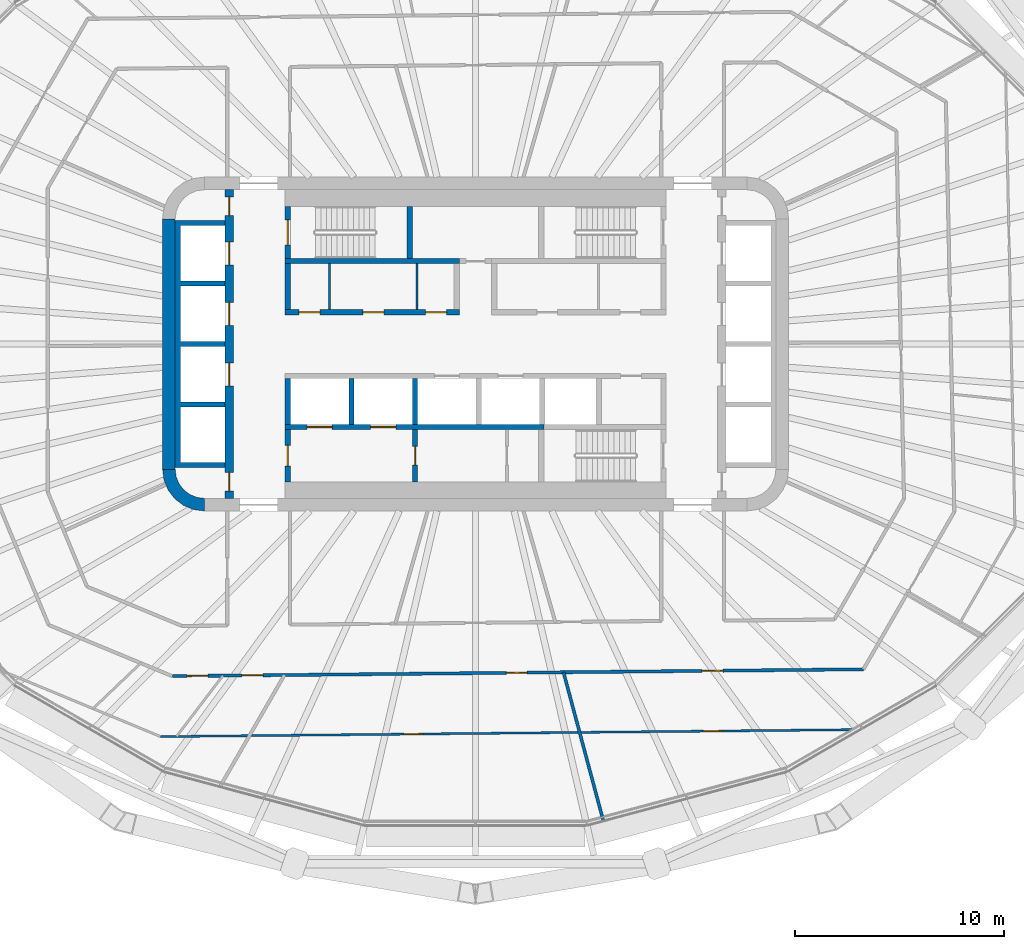
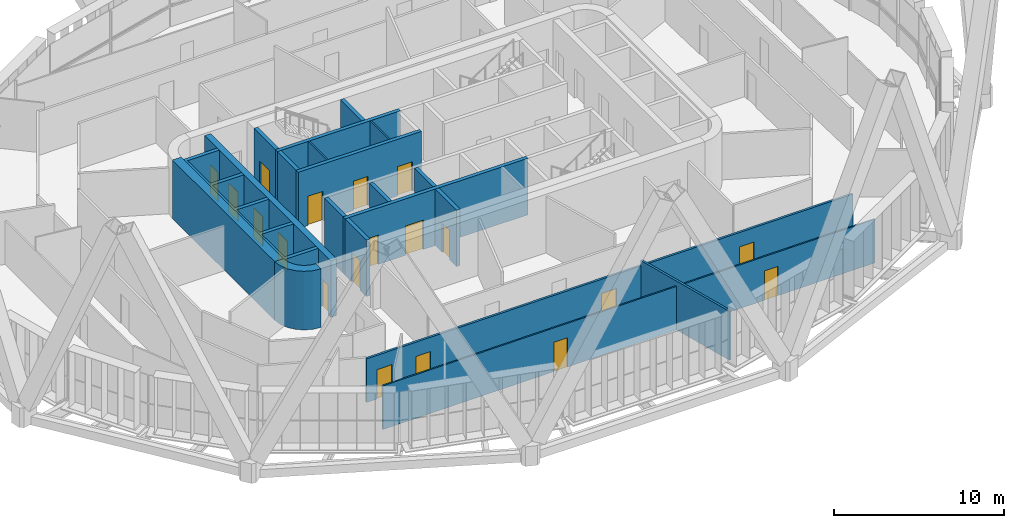
# One storey, part 14 of 25: 20 walls, 19 doors, 19 openings.
"""IFC4 building model written with IfcOpenShell, lengths in metres."""

import ifcopenshell
import ifcopenshell.guid

model = None  # the IFC model being written
_history = None  # IfcOwnerHistory: only IFC2X3 demands one
_inside = {}  # id of a spatial element -> (the spatial element, [elements in it])
_under = {}  # id of a project, library or spatial element -> (it, [spatial elements below it])
_declared = {}  # id of a project -> (the project, [libraries it declares])
_typed = {}  # id of a type object -> (the type object, [elements of that type])
_made_of = {}  # id of a material, layer set ... -> (it, [elements and type objects made of it])


def new_model(schema):
    """Start an empty IFC model of exactly this schema.

    Asked for "IFC4X3", IfcOpenShell would pick the latest addendum, in which some entities
    have other attributes; the version numbers below select the first issue.
    IFC2X3 requires an IfcOwnerHistory on every rooted entity: one is made here for all.
    """
    global model, _history
    if schema == "IFC4X3":
        model = ifcopenshell.file(schema_version=(4, 3, 0, 0))
    else:
        model = ifcopenshell.file(schema=schema)
    _inside.clear()
    _under.clear()
    _declared.clear()
    _typed.clear()
    _made_of.clear()
    _history = None
    if model.schema == "IFC2X3":
        org = make("IfcOrganization", Name="unknown")
        user = make(
            "IfcPersonAndOrganization",
            ThePerson=make("IfcPerson", FamilyName="unknown"),
            TheOrganization=org,
        )
        app = make(
            "IfcApplication",
            ApplicationDeveloper=org,
            Version="unknown",
            ApplicationFullName="unknown",
            ApplicationIdentifier="unknown",
        )
        _history = make(
            "IfcOwnerHistory",
            OwningUser=user,
            OwningApplication=app,
            ChangeAction="ADDED",
            CreationDate=0,
        )
    return model


def make(cls, **values):
    """One entity of the class cls with the attributes given. An attribute that is None is left unset."""
    return model.create_entity(
        cls, **{name: value for name, value in values.items() if value is not None}
    )


def rooted(cls, **values):
    """An entity with a GlobalId (a new one), such as an element, a storey or a relation."""
    return make(cls, GlobalId=ifcopenshell.guid.new(), OwnerHistory=_history, **values)


def si_unit(unit_type, name, prefix=None):
    """IfcSIUnit, for example si_unit("LENGTHUNIT", "METRE", prefix="MILLI")."""
    return make("IfcSIUnit", UnitType=unit_type, Prefix=prefix, Name=name)


def assignment(units):
    """IfcUnitAssignment: the units of a project."""
    return None if units is None else make("IfcUnitAssignment", Units=units)


def point(xyz):
    """IfcCartesianPoint."""
    return None if xyz is None else make("IfcCartesianPoint", Coordinates=xyz)


def direction(xyz):
    """IfcDirection."""
    return None if xyz is None else make("IfcDirection", DirectionRatios=xyz)


def frame(location, z_axis=None, x_axis=None):
    """IfcAxis2Placement3D, a coordinate frame: its origin and axes. An axis left out is left unset."""
    return make(
        "IfcAxis2Placement3D",
        Location=point(location),
        Axis=direction(z_axis),
        RefDirection=direction(x_axis),
    )


def frame_2d(location, x_axis=None):
    """IfcAxis2Placement2D, a coordinate frame in the plane: its origin and x axis."""
    return make(
        "IfcAxis2Placement2D", Location=point(location), RefDirection=direction(x_axis)
    )


def origin():
    """The frame at (0, 0, 0) with its axes left unset."""
    return frame((0.0, 0.0, 0.0))


def place(relative_to, where):
    """IfcLocalPlacement: puts the frame where relative to a parent placement (None: the world)."""
    return make(
        "IfcLocalPlacement", PlacementRelTo=relative_to, RelativePlacement=where
    )


def context(
    kind, dimensions, precision=None, world=None, true_north=None, identifier=None
):
    """IfcGeometricRepresentationContext, for example the 3D "Model" context."""
    return make(
        "IfcGeometricRepresentationContext",
        ContextIdentifier=identifier,
        ContextType=kind,
        CoordinateSpaceDimension=dimensions,
        Precision=precision,
        WorldCoordinateSystem=world,
        TrueNorth=true_north,
    )


def subcontext(parent, identifier, kind, view, scale=None):
    """IfcGeometricRepresentationSubContext, for example "Body" below "Model"."""
    return make(
        "IfcGeometricRepresentationSubContext",
        ContextIdentifier=identifier,
        ContextType=kind,
        ParentContext=parent,
        TargetScale=scale,
        TargetView=view,
    )


def project(units=None, contexts=None):
    """IfcProject with its units and contexts."""
    return rooted(
        "IfcProject",
        Name="project",
        RepresentationContexts=contexts,
        UnitsInContext=assignment(units),
    )


def spatial(cls, under=None, at=None, **own):
    """A site, building, storey or space (cls), placed at a placement, below another one or the project."""
    s = rooted(cls, ObjectPlacement=at, **own)
    if under is not None:
        _under.setdefault(under.id(), (under, []))[1].append(s)
    return s


def polyline(points):
    """IfcPolyline through the points."""
    return make("IfcPolyline", Points=[point(p) for p in points])


def profile(cls, at=None, kind="AREA", **sizes):
    """A parametric profile (cls). Its sizes go by their IFC names, for example OverallWidth=200.0."""
    return make(cls, ProfileType=kind, Position=at, **sizes)


def rectangle(**sizes):
    """IfcRectangleProfileDef."""
    return profile("IfcRectangleProfileDef", **sizes)


def outline(outer, holes=None, kind="AREA"):
    """IfcArbitraryClosedProfileDef: a profile drawn as a closed curve; with holes, ...WithVoids."""
    if holes is None:
        return make("IfcArbitraryClosedProfileDef", ProfileType=kind, OuterCurve=outer)
    return make(
        "IfcArbitraryProfileDefWithVoids",
        ProfileType=kind,
        OuterCurve=outer,
        InnerCurves=holes,
    )


def extrude(swept, where, along, depth):
    """IfcExtrudedAreaSolid: the profile swept, set in the frame where, extruded along a direction by depth."""
    return make(
        "IfcExtrudedAreaSolid",
        SweptArea=swept,
        Position=where,
        ExtrudedDirection=direction(along),
        Depth=depth,
    )


def shape(context_of_items, identifier, shape_type, items):
    """IfcShapeRepresentation: the items that make up one representation, for example the "Body"."""
    return make(
        "IfcShapeRepresentation",
        ContextOfItems=context_of_items,
        RepresentationIdentifier=identifier,
        RepresentationType=shape_type,
        Items=items,
    )


def material(Name=None, Category=None):
    """IfcMaterial."""
    return make("IfcMaterial", Name=Name, Category=Category)


def layer(
    of_material, thickness, ventilated=None, Name=None, Category=None, Priority=None
):
    """IfcMaterialLayer: one layer of a wall or slab, of a material (None: an air gap)."""
    return make(
        "IfcMaterialLayer",
        Material=of_material,
        LayerThickness=thickness,
        IsVentilated=ventilated,
        Name=Name,
        Category=Category,
        Priority=Priority,
    )


def layer_set(layers, Name=None):
    """IfcMaterialLayerSet."""
    return make("IfcMaterialLayerSet", MaterialLayers=layers, LayerSetName=Name)


def made_of(thing, what):
    """Note that an element or type object is made of a material, layer set ...; save() writes the relation."""
    if what is not None:
        _made_of.setdefault(what.id(), (what, []))[1].append(thing)
    return thing


def type_object(cls, material=None, **own):
    """A type object (cls), such as IfcWallType, which elements share."""
    return made_of(rooted(cls, **own), material)


def element(
    cls,
    number,
    at=None,
    inside=None,
    cuts=None,
    type_object=None,
    material=None,
    context=None,
    identifier="Body",
    shape_type=None,
    held_by="IfcProductDefinitionShape",
    body=None,
    shapes=None,
    **own,
):
    """One element of the class cls, such as IfcWall. Its Tag is "e" and its number.

    at: its placement. inside: the storey or other place that contains it. cuts: it is an
    opening in that element (IfcRelVoidsElement). A single representation is given by context,
    identifier, shape_type and body (its items); several are given by shapes. held_by: the class
    of the entity that holds the representations. save() writes the other relations.
    """
    e = rooted(cls, Tag="e%d" % number, ObjectPlacement=at, **own)
    if body is not None:
        shapes = [shape(context, identifier, shape_type, body)]
    if shapes is not None:
        e.Representation = make(held_by, Representations=shapes)
    if inside is not None:
        _inside.setdefault(inside.id(), (inside, []))[1].append(e)
    if cuts is not None:
        rooted(
            "IfcRelVoidsElement", RelatingBuildingElement=cuts, RelatedOpeningElement=e
        )
    if type_object is not None:
        _typed.setdefault(type_object.id(), (type_object, []))[1].append(e)
    return made_of(e, material)


def fill(opening, filler):
    """IfcRelFillsElement: the door or window that sits in an opening."""
    return rooted(
        "IfcRelFillsElement",
        RelatingOpeningElement=opening,
        RelatedBuildingElement=filler,
    )


def aggregate(whole, parts):
    """IfcRelAggregates: a whole, such as a stair, and the parts it consists of."""
    return rooted("IfcRelAggregates", RelatingObject=whole, RelatedObjects=parts)


def save(model, path):
    """Write the relations noted so far, then the file.

    IfcRelAggregates (storeys below a building ...), IfcRelContainedInSpatialStructure (elements
    in a storey), IfcRelDefinesByType, IfcRelAssociatesMaterial and IfcRelDeclares: one each for
    every whole, place, type object, material and project.
    """
    for whole, parts in _under.values():
        aggregate(whole, parts)
    for where, things in _inside.values():
        rooted(
            "IfcRelContainedInSpatialStructure",
            RelatedElements=things,
            RelatingStructure=where,
        )
    for kind, things in _typed.values():
        rooted("IfcRelDefinesByType", RelatedObjects=things, RelatingType=kind)
    for what, things in _made_of.values():
        rooted("IfcRelAssociatesMaterial", RelatedObjects=things, RelatingMaterial=what)
    for by, libraries in _declared.values():
        rooted("IfcRelDeclares", RelatingContext=by, RelatedDefinitions=libraries)
    model.write(path)


model = new_model("IFC4")

# Units and contexts
model_context = context("Model", 3, precision=1e-05, world=origin(), true_north=direction((0.0, 1.0)))
body_context = subcontext(model_context, "Body", "Model", "MODEL_VIEW")
ifc_project = project(units=[si_unit("LENGTHUNIT", "METRE"), si_unit("AREAUNIT", "SQUARE_METRE"), si_unit("VOLUMEUNIT", "CUBIC_METRE"), si_unit("PLANEANGLEUNIT", "RADIAN"), si_unit("MASSUNIT", "GRAM", prefix="KILO")], contexts=[model_context])

# Site, building, storey
site_placement = place(None, origin())
site = spatial("IfcSite", under=ifc_project, at=site_placement, CompositionType="ELEMENT")
building_placement = place(site_placement, origin())
building = spatial("IfcBuilding", under=site, at=building_placement, Name="Sahrelin Media Tower", CompositionType="ELEMENT")
storey_placement = place(building_placement, frame((0.0, 0.0, 63.0)))
storey = spatial("IfcBuildingStorey", under=building, at=storey_placement, Name="L10", CompositionType="ELEMENT", Elevation=63.0)

# Walls
ifc_material_1 = material(Name="Concrete C60/75", Category="concrete")
ifc_layer_1 = layer(ifc_material_1, 0.60009765625)
ifc_layer_set_1 = layer_set([ifc_layer_1], Name="Core wall 600")
wall_type_1 = type_object("IfcWallType", Name="Core wall 600", PredefinedType="SHEAR", material=ifc_layer_set_1)
wall_1_placement = place(storey_placement, frame((-14.699951171875, -6.0, 0.0), z_axis=(0.0, 0.0, 1.0), x_axis=(0.0, 1.0, 0.0)))
element("IfcWall", 1, at=wall_1_placement, inside=storey, type_object=wall_type_1, Name="Core wall W L10", PredefinedType="SHEAR", context=body_context, shape_type="SweptSolid", body=[
    extrude(rectangle(XDim=12.0, YDim=0.60009765625, at=frame_2d((6.0, 0.0))), origin(), (0.0, 0.0, 1.0), 4.199951171875),
])
placement = place(storey_placement, origin())
element("IfcWall", 2, at=placement, inside=storey, type_object=wall_type_1, Name="Core wall corner SW L10", PredefinedType="SHEAR", context=body_context, shape_type="SweptSolid", body=[
    extrude(outline(polyline([(-13.0, -8.0), (-13.0, -7.394775390625), (-13.361083984375, -7.347412109375), (-13.697509765625, -7.2080078125), (-13.986328125, -6.986328125), (-14.2080078125, -6.697509765625), (-14.347412109375, -6.361083984375), (-14.394775390625, -6.0), (-15.0, -6.0), (-14.931884765625, -6.517578125), (-14.732177734375, -7.0), (-14.414306640625, -7.414306640625), (-14.0, -7.732177734375), (-13.517578125, -7.931884765625), (-13.0, -8.0)])), origin(), (0.0, 0.0, 1.0), 4.199951171875),
])

# Wall, openings, doors
ifc_material_2 = material(Name="Fire-rated gypsum board partition")
ifc_layer_2 = layer(ifc_material_2, 0.25)
ifc_layer_set_2 = layer_set([ifc_layer_2], Name="Fire-rated lobby wall 250")
wall_type_2 = type_object("IfcWallType", Name="Fire-rated lobby wall 250", PredefinedType="PARTITIONING", material=ifc_layer_set_2)
wall_3_placement = place(storey_placement, frame((-9.125, 1.52490234375, 0.0), z_axis=(0.0, 0.0, 1.0), x_axis=(1.0, 0.0, 0.0)))
wall_3 = element("IfcWall", 3, at=wall_3_placement, inside=storey, type_object=wall_type_2, Name="Core lobby wall", PredefinedType="PARTITIONING", context=body_context, shape_type="SweptSolid", body=[
    extrude(rectangle(XDim=8.35009765625, YDim=0.25, at=frame_2d((4.175048828125, 0.0))), origin(), (0.0, 0.0, 1.0), 4.050048828125),
])
opening_1_placement = place(wall_3_placement, frame((0.66259765625, 0.0, 0.0)))
opening_1 = element("IfcOpeningElement", 4, at=opening_1_placement, cuts=wall_3, Name="Opening L10-D08", PredefinedType="OPENING", context=body_context, shape_type="SweptSolid", body=[
    extrude(rectangle(XDim=1.0, YDim=2.10009765625, at=frame_2d((0.5, 1.050048828125))), frame((0.0, 0.125, 0.0), z_axis=(0.0, -1.0, 0.0), x_axis=(1.0, 0.0, 0.0)), (0.0, 0.0, 1.0), 0.25),
])
opening_2_placement = place(wall_3_placement, frame((3.72509765625, 0.0, 0.0)))
opening_2 = element("IfcOpeningElement", 5, at=opening_2_placement, cuts=wall_3, Name="Opening L10-D09", PredefinedType="OPENING", context=body_context, shape_type="SweptSolid", body=[
    extrude(rectangle(XDim=1.0, YDim=2.10009765625, at=frame_2d((0.5, 1.050048828125))), frame((0.0, 0.125, 0.0), z_axis=(0.0, -1.0, 0.0), x_axis=(1.0, 0.0, 0.0)), (0.0, 0.0, 1.0), 0.25),
])
opening_3_placement = place(wall_3_placement, frame((6.737548828125, 0.0, 0.0)))
opening_3 = element("IfcOpeningElement", 6, at=opening_3_placement, cuts=wall_3, Name="Opening L10-D10", PredefinedType="OPENING", context=body_context, shape_type="SweptSolid", body=[
    extrude(rectangle(XDim=1.0, YDim=2.10009765625, at=frame_2d((0.5, 1.050048828125))), frame((0.0, 0.125, 0.0), z_axis=(0.0, -1.0, 0.0), x_axis=(1.0, 0.0, 0.0)), (0.0, 0.0, 1.0), 0.25),
])
ifc_material_3 = material(Name="Steel fire door leaf", Category="steel")
door_type_1 = type_object("IfcDoorType", Name="Fire door 1000 x 2100 EI 60", OperationType="NOTDEFINED", PredefinedType="DOOR", material=ifc_material_3)
door_1_placement = place(opening_1_placement, origin())
door_1 = element("IfcDoor", 7, at=door_1_placement, inside=storey, type_object=door_type_1, Name="Core room door", OperationType="SINGLE_SWING_LEFT", OverallHeight=2.10009765625, OverallWidth=1.0, PredefinedType="DOOR", context=body_context, shape_type="SweptSolid", body=[
    extrude(rectangle(XDim=1.0, YDim=2.10009765625, at=frame_2d((0.5, 1.050048828125))), frame((0.0, 0.02490234375, 0.0), z_axis=(0.0, -1.0, 0.0), x_axis=(1.0, 0.0, 0.0)), (0.0, 0.0, 1.0), 0.050048828125),
])
fill(opening_1, door_1)
door_2_placement = place(opening_2_placement, origin())
door_2 = element("IfcDoor", 8, at=door_2_placement, inside=storey, type_object=door_type_1, Name="Core room door", OperationType="SINGLE_SWING_LEFT", OverallHeight=2.10009765625, OverallWidth=1.0, PredefinedType="DOOR", context=body_context, shape_type="SweptSolid", body=[
    extrude(rectangle(XDim=1.0, YDim=2.10009765625, at=frame_2d((0.5, 1.050048828125))), frame((0.0, 0.02490234375, 0.0), z_axis=(0.0, -1.0, 0.0), x_axis=(1.0, 0.0, 0.0)), (0.0, 0.0, 1.0), 0.050048828125),
])
fill(opening_2, door_2)
door_3_placement = place(opening_3_placement, origin())
door_3 = element("IfcDoor", 9, at=door_3_placement, inside=storey, type_object=door_type_1, Name="Core room door", OperationType="SINGLE_SWING_LEFT", OverallHeight=2.10009765625, OverallWidth=1.0, PredefinedType="DOOR", context=body_context, shape_type="SweptSolid", body=[
    extrude(rectangle(XDim=1.0, YDim=2.10009765625, at=frame_2d((0.5, 1.050048828125))), frame((0.0, 0.02490234375, 0.0), z_axis=(0.0, -1.0, 0.0), x_axis=(1.0, 0.0, 0.0)), (0.0, 0.0, 1.0), 0.050048828125),
])
fill(opening_3, door_3)

# Walls
wall_4_placement = place(storey_placement, frame((-9.0, 1.64990234375, 0.0), z_axis=(0.0, 0.0, 1.0), x_axis=(0.0, 1.0, 0.0)))
element("IfcWall", 10, at=wall_4_placement, inside=storey, type_object=wall_type_2, Name="Core lobby wall", PredefinedType="PARTITIONING", context=body_context, shape_type="SweptSolid", body=[
    extrude(rectangle(XDim=2.2001953125, YDim=0.25, at=frame_2d((1.10009765625, 0.0))), origin(), (0.0, 0.0, 1.0), 4.050048828125),
])
ifc_layer_3 = layer(ifc_material_2, 0.10009765625)
ifc_layer_set_3 = layer_set([ifc_layer_3], Name="Fire-rated partition 100")
wall_type_3 = type_object("IfcWallType", Name="Fire-rated partition 100", PredefinedType="PARTITIONING", material=ifc_layer_set_3)
for number, where, z_axis, x_axis, name in (
    (11, (-7.0, 1.64990234375, 0.0), (0.0, 0.0, 1.0), (0.0, 1.0, 0.0), "Core room partition"),
    (12, (-2.800048828125, 1.64990234375, 0.0), (0.0, 0.0, 1.0), (0.0, 1.0, 0.0), "Core room partition"),
):
    element("IfcWall", number, at=place(storey_placement, frame(where, z_axis=z_axis, x_axis=x_axis)), inside=storey, type_object=wall_type_3, Name=name, PredefinedType="PARTITIONING", context=body_context, shape_type="SweptSolid", body=[
        extrude(rectangle(XDim=2.2001953125, YDim=0.10009765625, at=frame_2d((1.10009765625, 0.0))), origin(), (0.0, 0.0, 1.0), 4.050048828125),
    ])
ifc_layer_4 = layer(ifc_material_2, 0.14990234375)
ifc_layer_set_4 = layer_set([ifc_layer_4], Name="Fire-rated partition 150")
wall_type_4 = type_object("IfcWallType", Name="Fire-rated partition 150", PredefinedType="PARTITIONING", material=ifc_layer_set_4)
wall_5_placement = place(storey_placement, frame((4.215087890625, -15.72998046875, 0.0), z_axis=(0.0, 0.0, 1.0), x_axis=(0.258791697498, -0.965933153643, 0.0)))
element("IfcWall", 13, at=wall_5_placement, inside=storey, type_object=wall_type_4, Name="Wall", PredefinedType="PARTITIONING", context=body_context, shape_type="SweptSolid", body=[
    extrude(rectangle(XDim=7.3876953125, YDim=0.14990234375, at=frame_2d((3.69384765625, 0.0))), origin(), (0.0, 0.0, 1.0), 3.501708984375),
])

# Wall, openings, doors
wall_6_placement = place(storey_placement, frame((-14.533935546875, -15.916015625, 0.0), z_axis=(0.0, 0.0, 1.0), x_axis=(0.999950637767, 0.009935896005, 0.0)))
wall_6 = element("IfcWall", 14, at=wall_6_placement, inside=storey, type_object=wall_type_4, Name="Wall", PredefinedType="PARTITIONING", context=body_context, shape_type="SweptSolid", body=[
    extrude(rectangle(XDim=33.12255859375, YDim=0.14990234375, at=frame_2d((16.561279296875, 0.0))), origin(), (0.0, 0.0, 1.0), 3.126953125),
])
opening_4_placement = place(wall_6_placement, frame((0.712646484375, 0.0, 0.0)))
opening_4 = element("IfcOpeningElement", 15, at=opening_4_placement, cuts=wall_6, Name="Opening L10-D42", PredefinedType="OPENING", context=body_context, shape_type="SweptSolid", body=[
    extrude(rectangle(XDim=1.0, YDim=2.10009765625, at=frame_2d((0.5, 1.050048828125))), frame((0.0, 0.074951171875, 0.0), z_axis=(0.0, -1.0, 0.0), x_axis=(1.0, 0.0, 0.0)), (0.0, 0.0, 1.0), 0.14990234375),
])
opening_5_placement = place(wall_6_placement, frame((3.34765625, 0.0, 0.0)))
opening_5 = element("IfcOpeningElement", 16, at=opening_5_placement, cuts=wall_6, Name="Opening L10-D43", PredefinedType="OPENING", context=body_context, shape_type="SweptSolid", body=[
    extrude(rectangle(XDim=1.0, YDim=2.10009765625, at=frame_2d((0.5, 1.050048828125))), frame((0.0, 0.074951171875, 0.0), z_axis=(0.0, -1.0, 0.0), x_axis=(1.0, 0.0, 0.0)), (0.0, 0.0, 1.0), 0.14990234375),
])
opening_6_placement = place(wall_6_placement, frame((16.01123046875, 0.0, 0.0)))
opening_6 = element("IfcOpeningElement", 17, at=opening_6_placement, cuts=wall_6, Name="Opening L10-D45", PredefinedType="OPENING", context=body_context, shape_type="SweptSolid", body=[
    extrude(rectangle(XDim=1.0, YDim=2.10009765625, at=frame_2d((0.5, 1.050048828125))), frame((0.0, 0.074951171875, 0.0), z_axis=(0.0, -1.0, 0.0), x_axis=(1.0, 0.0, 0.0)), (0.0, 0.0, 1.0), 0.14990234375),
])
opening_7_placement = place(wall_6_placement, frame((25.3857421875, 0.0, 0.0)))
opening_7 = element("IfcOpeningElement", 18, at=opening_7_placement, cuts=wall_6, Name="Opening L10-D47", PredefinedType="OPENING", context=body_context, shape_type="SweptSolid", body=[
    extrude(rectangle(XDim=1.0, YDim=2.10009765625, at=frame_2d((0.5, 1.050048828125))), frame((0.0, 0.074951171875, 0.0), z_axis=(0.0, -1.0, 0.0), x_axis=(1.0, 0.0, 0.0)), (0.0, 0.0, 1.0), 0.14990234375),
])
door_4_placement = place(opening_4_placement, origin())
door_4 = element("IfcDoor", 19, at=door_4_placement, inside=storey, type_object=door_type_1, Name="Fire door", OperationType="SINGLE_SWING_RIGHT", OverallHeight=2.10009765625, OverallWidth=1.0, PredefinedType="DOOR", context=body_context, shape_type="SweptSolid", body=[
    extrude(rectangle(XDim=1.0, YDim=2.10009765625, at=frame_2d((0.5, 1.050048828125))), frame((0.0, 0.02490234375, 0.0), z_axis=(0.0, -1.0, 0.0), x_axis=(1.0, 0.0, 0.0)), (0.0, 0.0, 1.0), 0.050048828125),
])
fill(opening_4, door_4)
door_5_placement = place(opening_5_placement, origin())
door_5 = element("IfcDoor", 20, at=door_5_placement, inside=storey, type_object=door_type_1, Name="Fire door", OperationType="SINGLE_SWING_RIGHT", OverallHeight=2.10009765625, OverallWidth=1.0, PredefinedType="DOOR", context=body_context, shape_type="SweptSolid", body=[
    extrude(rectangle(XDim=1.0, YDim=2.10009765625, at=frame_2d((0.5, 1.050048828125))), frame((0.0, 0.02490234375, 0.0), z_axis=(0.0, -1.0, 0.0), x_axis=(1.0, 0.0, 0.0)), (0.0, 0.0, 1.0), 0.050048828125),
])
fill(opening_5, door_5)
door_6_placement = place(opening_6_placement, origin())
door_6 = element("IfcDoor", 21, at=door_6_placement, inside=storey, type_object=door_type_1, Name="Fire door", OperationType="SINGLE_SWING_LEFT", OverallHeight=2.10009765625, OverallWidth=1.0, PredefinedType="DOOR", context=body_context, shape_type="SweptSolid", body=[
    extrude(rectangle(XDim=1.0, YDim=2.10009765625, at=frame_2d((0.5, 1.050048828125))), frame((0.0, 0.02490234375, 0.0), z_axis=(0.0, -1.0, 0.0), x_axis=(1.0, 0.0, 0.0)), (0.0, 0.0, 1.0), 0.050048828125),
])
fill(opening_6, door_6)
door_7_placement = place(opening_7_placement, origin())
door_7 = element("IfcDoor", 22, at=door_7_placement, inside=storey, type_object=door_type_1, Name="Fire door", OperationType="SINGLE_SWING_RIGHT", OverallHeight=2.10009765625, OverallWidth=1.0, PredefinedType="DOOR", context=body_context, shape_type="SweptSolid", body=[
    extrude(rectangle(XDim=1.0, YDim=2.10009765625, at=frame_2d((0.5, 1.050048828125))), frame((0.0, 0.02490234375, 0.0), z_axis=(0.0, -1.0, 0.0), x_axis=(1.0, 0.0, 0.0)), (0.0, 0.0, 1.0), 0.050048828125),
])
fill(opening_7, door_7)

# Wall, opening, door
ifc_layer_5 = layer(ifc_material_2, 0.25)
ifc_layer_set_5 = layer_set([ifc_layer_5], Name="Firefighting lobby wall 250")
wall_type_5 = type_object("IfcWallType", Name="Firefighting lobby wall 250", PredefinedType="PARTITIONING", material=ifc_layer_set_5)
wall_7_placement = place(storey_placement, frame((-9.0, -6.60009765625, 0.0), z_axis=(0.0, 0.0, 1.0), x_axis=(0.0, 1.0, 0.0)))
wall_7 = element("IfcWall", 23, at=wall_7_placement, inside=storey, type_object=wall_type_5, Name="Core wall", PredefinedType="PARTITIONING", context=body_context, shape_type="SweptSolid", body=[
    extrude(rectangle(XDim=2.5, YDim=0.25, at=frame_2d((1.25, 0.0))), origin(), (0.0, 0.0, 1.0), 4.050048828125),
])
opening_8_placement = place(wall_7_placement, frame((0.75, 0.0, 0.0)))
opening_8 = element("IfcOpeningElement", 24, at=opening_8_placement, cuts=wall_7, Name="Opening L10-D04", PredefinedType="OPENING", context=body_context, shape_type="SweptSolid", body=[
    extrude(rectangle(XDim=1.0, YDim=2.10009765625, at=frame_2d((0.5, 1.050048828125))), frame((0.0, 0.125, 0.0), z_axis=(0.0, -1.0, 0.0), x_axis=(1.0, 0.0, 0.0)), (0.0, 0.0, 1.0), 0.25),
])
door_type_2 = type_object("IfcDoorType", Name="Firefighting lobby door 1000 x 2100 EI 120", OperationType="NOTDEFINED", PredefinedType="DOOR", material=ifc_material_3)
door_8_placement = place(opening_8_placement, origin())
door_8 = element("IfcDoor", 25, at=door_8_placement, inside=storey, type_object=door_type_2, Name="Firefighting lobby door", OperationType="SINGLE_SWING_LEFT", OverallHeight=2.10009765625, OverallWidth=1.0, PredefinedType="DOOR", context=body_context, shape_type="SweptSolid", body=[
    extrude(rectangle(XDim=1.0, YDim=2.10009765625, at=frame_2d((0.5, 1.050048828125))), frame((0.0, 0.02490234375, 0.0), z_axis=(0.0, -1.0, 0.0), x_axis=(1.0, 0.0, 0.0)), (0.0, 0.0, 1.0), 0.050048828125),
])
fill(opening_8, door_8)

wall_8_placement = place(storey_placement, frame((-2.89990234375, -6.60009765625, 0.0), z_axis=(0.0, 0.0, 1.0), x_axis=(0.0, 1.0, 0.0)))
wall_8 = element("IfcWall", 26, at=wall_8_placement, inside=storey, type_object=wall_type_5, Name="Core wall", PredefinedType="PARTITIONING", context=body_context, shape_type="SweptSolid", body=[
    extrude(rectangle(XDim=2.5, YDim=0.25, at=frame_2d((1.25, 0.0))), origin(), (0.0, 0.0, 1.0), 4.050048828125),
])
opening_9_placement = place(wall_8_placement, frame((0.800048828125, 0.0, 0.0)))
opening_9 = element("IfcOpeningElement", 27, at=opening_9_placement, cuts=wall_8, Name="Opening L10-D05", PredefinedType="OPENING", context=body_context, shape_type="SweptSolid", body=[
    extrude(rectangle(XDim=0.89990234375, YDim=2.10009765625, at=frame_2d((0.449951171875, 1.050048828125))), frame((0.0, 0.125, 0.0), z_axis=(0.0, -1.0, 0.0), x_axis=(1.0, 0.0, 0.0)), (0.0, 0.0, 1.0), 0.25),
])
door_type_3 = type_object("IfcDoorType", Name="Firefighting lobby door 900 x 2100 EI 120", OperationType="NOTDEFINED", PredefinedType="DOOR", material=ifc_material_3)
door_9_placement = place(opening_9_placement, origin())
door_9 = element("IfcDoor", 28, at=door_9_placement, inside=storey, type_object=door_type_3, Name="Riser door", OperationType="SINGLE_SWING_RIGHT", OverallHeight=2.10009765625, OverallWidth=0.89990234375, PredefinedType="DOOR", context=body_context, shape_type="SweptSolid", body=[
    extrude(rectangle(XDim=0.89990234375, YDim=2.10009765625, at=frame_2d((0.449951171875, 1.050048828125))), frame((0.0, 0.02490234375, 0.0), z_axis=(0.0, -1.0, 0.0), x_axis=(1.0, 0.0, 0.0)), (0.0, 0.0, 1.0), 0.050048828125),
])
fill(opening_9, door_9)

# Wall, openings, doors
ifc_layer_6 = layer(ifc_material_1, 0.25)
ifc_layer_set_6 = layer_set([ifc_layer_6], Name="Lift shaft wall 250")
wall_type_6 = type_object("IfcWallType", Name="Lift shaft wall 250", PredefinedType="SOLIDWALL", material=ifc_layer_set_6)
wall_9_placement = place(storey_placement, frame((-9.125, -3.97509765625, 0.0), z_axis=(0.0, 0.0, 1.0), x_axis=(1.0, 0.0, 0.0)))
wall_9 = element("IfcWall", 29, at=wall_9_placement, inside=storey, type_object=wall_type_6, Name="Lift shaft wall", PredefinedType="SOLIDWALL", context=body_context, shape_type="SweptSolid", body=[
    extrude(rectangle(XDim=12.39990234375, YDim=0.25, at=frame_2d((6.199951171875, 0.0))), origin(), (0.0, 0.0, 1.0), 4.050048828125),
])
opening_10_placement = place(wall_9_placement, frame((1.050048828125, 0.0, 0.0)))
opening_10 = element("IfcOpeningElement", 30, at=opening_10_placement, cuts=wall_9, Name="Opening L10-LD-FF1", PredefinedType="OPENING", context=body_context, shape_type="SweptSolid", body=[
    extrude(rectangle(XDim=1.199951171875, YDim=2.10009765625, at=frame_2d((0.60009765625, 1.050048828125))), frame((0.0, 0.125, 0.0), z_axis=(0.0, -1.0, 0.0), x_axis=(1.0, 0.0, 0.0)), (0.0, 0.0, 1.0), 0.25),
])
opening_11_placement = place(wall_9_placement, frame((4.10009765625, 0.0, 0.0)))
opening_11 = element("IfcOpeningElement", 31, at=opening_11_placement, cuts=wall_9, Name="Opening L10-LD-FF2", PredefinedType="OPENING", context=body_context, shape_type="SweptSolid", body=[
    extrude(rectangle(XDim=1.199951171875, YDim=2.10009765625, at=frame_2d((0.60009765625, 1.050048828125))), frame((0.0, 0.125, 0.0), z_axis=(0.0, -1.0, 0.0), x_axis=(1.0, 0.0, 0.0)), (0.0, 0.0, 1.0), 0.25),
])
ifc_material_4 = material(Name="Stainless steel", Category="steel")
door_type_4 = type_object("IfcDoorType", Name="Lift landing door 1200 x 2100 EI 120", OperationType="DOUBLE_DOOR_SLIDING", PredefinedType="DOOR", material=ifc_material_4)
door_10_placement = place(opening_10_placement, origin())
door_10 = element("IfcDoor", 32, at=door_10_placement, inside=storey, type_object=door_type_4, Name="Lift landing door FF1", OperationType="DOUBLE_DOOR_SLIDING", OverallHeight=2.10009765625, OverallWidth=1.199951171875, PredefinedType="DOOR", context=body_context, shape_type="SweptSolid", body=[
    extrude(rectangle(XDim=1.199951171875, YDim=2.10009765625, at=frame_2d((0.60009765625, 1.050048828125))), frame((0.0, 0.02490234375, 0.0), z_axis=(0.0, -1.0, 0.0), x_axis=(1.0, 0.0, 0.0)), (0.0, 0.0, 1.0), 0.050048828125),
])
fill(opening_10, door_10)
door_11_placement = place(opening_11_placement, origin())
door_11 = element("IfcDoor", 33, at=door_11_placement, inside=storey, type_object=door_type_4, Name="Lift landing door FF2", OperationType="DOUBLE_DOOR_SLIDING", OverallHeight=2.10009765625, OverallWidth=1.199951171875, PredefinedType="DOOR", context=body_context, shape_type="SweptSolid", body=[
    extrude(rectangle(XDim=1.199951171875, YDim=2.10009765625, at=frame_2d((0.60009765625, 1.050048828125))), frame((0.0, 0.02490234375, 0.0), z_axis=(0.0, -1.0, 0.0), x_axis=(1.0, 0.0, 0.0)), (0.0, 0.0, 1.0), 0.050048828125),
])
fill(opening_11, door_11)

# Walls
for number, where, z_axis, x_axis, name in (
    (34, (-9.0, -3.85009765625, 0.0), (0.0, 0.0, 1.0), (0.0, 1.0, 0.0), "Lift shaft wall"),
    (35, (-5.949951171875, -3.85009765625, 0.0), (0.0, 0.0, 1.0), (0.0, 1.0, 0.0), "Lift shaft wall"),
    (36, (-2.89990234375, -3.85009765625, 0.0), (0.0, 0.0, 1.0), (0.0, 1.0, 0.0), "Lift shaft wall"),
):
    element("IfcWall", number, at=place(storey_placement, frame(where, z_axis=z_axis, x_axis=x_axis)), inside=storey, type_object=wall_type_6, Name=name, PredefinedType="SOLIDWALL", context=body_context, shape_type="SweptSolid", body=[
        extrude(rectangle(XDim=2.2001953125, YDim=0.25, at=frame_2d((1.10009765625, 0.0))), origin(), (0.0, 0.0, 1.0), 4.050048828125),
    ])
element("IfcWall", 37, at=placement, inside=storey, type_object=wall_type_6, Name="Lift shaft wall", PredefinedType="SOLIDWALL", context=body_context, shape_type="SweptSolid", body=[
    extrude(outline(polyline([(-12.0, -5.925048828125), (-12.0, -5.675048828125), (-14.14990234375, -5.675048828125), (-14.14990234375, -3.02490234375), (-12.0, -3.02490234375), (-12.0, -2.77490234375), (-14.14990234375, -2.77490234375), (-14.14990234375, -0.125), (-12.0, -0.125), (-12.0, 0.125), (-14.14990234375, 0.125), (-14.14990234375, 2.77490234375), (-12.0, 2.77490234375), (-12.0, 3.02490234375), (-14.14990234375, 3.02490234375), (-14.14990234375, 5.675048828125), (-12.0, 5.675048828125), (-12.0, 5.925048828125), (-14.14990234375, 5.925048828125), (-14.39990234375, 5.925048828125), (-14.39990234375, 5.675048828125), (-14.39990234375, 3.02490234375), (-14.39990234375, 2.77490234375), (-14.39990234375, 0.125), (-14.39990234375, -0.125), (-14.39990234375, -2.77490234375), (-14.39990234375, -3.02490234375), (-14.39990234375, -5.675048828125), (-14.39990234375, -5.925048828125), (-14.14990234375, -5.925048828125), (-12.0, -5.925048828125)])), origin(), (0.0, 0.0, 1.0), 4.050048828125),
])

# Wall, openings, doors
ifc_layer_7 = layer(ifc_material_1, 0.39990234375)
ifc_layer_set_7 = layer_set([ifc_layer_7], Name="Lift shaft wall 400")
wall_type_7 = type_object("IfcWallType", Name="Lift shaft wall 400", PredefinedType="SOLIDWALL", material=ifc_layer_set_7)
wall_11_placement = place(storey_placement, frame((-11.800048828125, -7.39990234375, 0.0), z_axis=(0.0, 0.0, 1.0), x_axis=(0.0, 1.0, 0.0)))
wall_11 = element("IfcWall", 38, at=wall_11_placement, inside=storey, type_object=wall_type_7, Name="Lift shaft wall", PredefinedType="SOLIDWALL", context=body_context, shape_type="SweptSolid", body=[
    extrude(rectangle(XDim=14.7998046875, YDim=0.39990234375, at=frame_2d((7.39990234375, 0.0))), origin(), (0.0, 0.0, 1.0), 4.050048828125),
])
opening_12_placement = place(wall_11_placement, frame((11.199951171875, 0.0, 0.0)))
opening_12 = element("IfcOpeningElement", 39, at=opening_12_placement, cuts=wall_11, Name="Opening L10-LD-LR1", PredefinedType="OPENING", context=body_context, shape_type="SweptSolid", body=[
    extrude(rectangle(XDim=1.10009765625, YDim=2.10009765625, at=frame_2d((0.550048828125, 1.050048828125))), frame((0.0, 0.199951171875, 0.0), z_axis=(0.0, -1.0, 0.0), x_axis=(1.0, 0.0, 0.0)), (0.0, 0.0, 1.0), 0.39990234375),
])
opening_13_placement = place(wall_11_placement, frame((8.300048828125, 0.0, 0.0)))
opening_13 = element("IfcOpeningElement", 40, at=opening_13_placement, cuts=wall_11, Name="Opening L10-LD-LR2", PredefinedType="OPENING", context=body_context, shape_type="SweptSolid", body=[
    extrude(rectangle(XDim=1.10009765625, YDim=2.10009765625, at=frame_2d((0.550048828125, 1.050048828125))), frame((0.0, 0.199951171875, 0.0), z_axis=(0.0, -1.0, 0.0), x_axis=(1.0, 0.0, 0.0)), (0.0, 0.0, 1.0), 0.39990234375),
])
opening_14_placement = place(wall_11_placement, frame((5.39990234375, 0.0, 0.0)))
opening_14 = element("IfcOpeningElement", 41, at=opening_14_placement, cuts=wall_11, Name="Opening L10-LD-LR3", PredefinedType="OPENING", context=body_context, shape_type="SweptSolid", body=[
    extrude(rectangle(XDim=1.10009765625, YDim=2.10009765625, at=frame_2d((0.550048828125, 1.050048828125))), frame((0.0, 0.199951171875, 0.0), z_axis=(0.0, -1.0, 0.0), x_axis=(1.0, 0.0, 0.0)), (0.0, 0.0, 1.0), 0.39990234375),
])
opening_15_placement = place(wall_11_placement, frame((13.552490234375, 0.0, 0.0)))
opening_15 = element("IfcOpeningElement", 42, at=opening_15_placement, cuts=wall_11, Name="Opening L10-D14", PredefinedType="OPENING", context=body_context, shape_type="SweptSolid", body=[
    extrude(rectangle(XDim=0.89990234375, YDim=2.10009765625, at=frame_2d((0.449951171875, 1.050048828125))), frame((0.0, 0.199951171875, 0.0), z_axis=(0.0, -1.0, 0.0), x_axis=(1.0, 0.0, 0.0)), (0.0, 0.0, 1.0), 0.39990234375),
])
opening_16_placement = place(wall_11_placement, frame((0.347412109375, 0.0, 0.0)))
opening_16 = element("IfcOpeningElement", 43, at=opening_16_placement, cuts=wall_11, Name="Opening L10-D15", PredefinedType="OPENING", context=body_context, shape_type="SweptSolid", body=[
    extrude(rectangle(XDim=0.89990234375, YDim=2.10009765625, at=frame_2d((0.449951171875, 1.050048828125))), frame((0.0, 0.199951171875, 0.0), z_axis=(0.0, -1.0, 0.0), x_axis=(1.0, 0.0, 0.0)), (0.0, 0.0, 1.0), 0.39990234375),
])
door_type_5 = type_object("IfcDoorType", Name="Lift landing door 1100 x 2100 EI 120", OperationType="DOUBLE_DOOR_SLIDING", PredefinedType="DOOR", material=ifc_material_4)
door_12_placement = place(opening_12_placement, origin())
door_12 = element("IfcDoor", 44, at=door_12_placement, inside=storey, type_object=door_type_5, Name="Lift landing door LR1", OperationType="DOUBLE_DOOR_SLIDING", OverallHeight=2.10009765625, OverallWidth=1.10009765625, PredefinedType="DOOR", context=body_context, shape_type="SweptSolid", body=[
    extrude(rectangle(XDim=1.10009765625, YDim=2.10009765625, at=frame_2d((0.550048828125, 1.050048828125))), frame((0.0, 0.02490234375, 0.0), z_axis=(0.0, -1.0, 0.0), x_axis=(1.0, 0.0, 0.0)), (0.0, 0.0, 1.0), 0.050048828125),
])
fill(opening_12, door_12)
door_13_placement = place(opening_13_placement, origin())
door_13 = element("IfcDoor", 45, at=door_13_placement, inside=storey, type_object=door_type_5, Name="Lift landing door LR2", OperationType="DOUBLE_DOOR_SLIDING", OverallHeight=2.10009765625, OverallWidth=1.10009765625, PredefinedType="DOOR", context=body_context, shape_type="SweptSolid", body=[
    extrude(rectangle(XDim=1.10009765625, YDim=2.10009765625, at=frame_2d((0.550048828125, 1.050048828125))), frame((0.0, 0.02490234375, 0.0), z_axis=(0.0, -1.0, 0.0), x_axis=(1.0, 0.0, 0.0)), (0.0, 0.0, 1.0), 0.050048828125),
])
fill(opening_13, door_13)
door_14_placement = place(opening_14_placement, origin())
door_14 = element("IfcDoor", 46, at=door_14_placement, inside=storey, type_object=door_type_5, Name="Lift landing door LR3", OperationType="DOUBLE_DOOR_SLIDING", OverallHeight=2.10009765625, OverallWidth=1.10009765625, PredefinedType="DOOR", context=body_context, shape_type="SweptSolid", body=[
    extrude(rectangle(XDim=1.10009765625, YDim=2.10009765625, at=frame_2d((0.550048828125, 1.050048828125))), frame((0.0, 0.02490234375, 0.0), z_axis=(0.0, -1.0, 0.0), x_axis=(1.0, 0.0, 0.0)), (0.0, 0.0, 1.0), 0.050048828125),
])
fill(opening_14, door_14)
door_type_6 = type_object("IfcDoorType", Name="Riser door 900 x 2100 EI 120", OperationType="NOTDEFINED", PredefinedType="DOOR", material=ifc_material_3)
door_15_placement = place(opening_15_placement, origin())
door_15 = element("IfcDoor", 47, at=door_15_placement, inside=storey, type_object=door_type_6, Name="Riser door", OperationType="SINGLE_SWING_LEFT", OverallHeight=2.10009765625, OverallWidth=0.89990234375, PredefinedType="DOOR", context=body_context, shape_type="SweptSolid", body=[
    extrude(rectangle(XDim=0.89990234375, YDim=2.10009765625, at=frame_2d((0.449951171875, 1.050048828125))), frame((0.0, 0.02490234375, 0.0), z_axis=(0.0, -1.0, 0.0), x_axis=(1.0, 0.0, 0.0)), (0.0, 0.0, 1.0), 0.050048828125),
])
fill(opening_15, door_15)
door_16_placement = place(opening_16_placement, origin())
door_16 = element("IfcDoor", 48, at=door_16_placement, inside=storey, type_object=door_type_6, Name="Riser door", OperationType="SINGLE_SWING_LEFT", OverallHeight=2.10009765625, OverallWidth=0.89990234375, PredefinedType="DOOR", context=body_context, shape_type="SweptSolid", body=[
    extrude(rectangle(XDim=0.89990234375, YDim=2.10009765625, at=frame_2d((0.449951171875, 1.050048828125))), frame((0.0, 0.02490234375, 0.0), z_axis=(0.0, -1.0, 0.0), x_axis=(1.0, 0.0, 0.0)), (0.0, 0.0, 1.0), 0.050048828125),
])
fill(opening_16, door_16)

ifc_material_5 = material(Name="Gypsum board partition")
ifc_layer_8 = layer(ifc_material_5, 0.10009765625)
ifc_layer_set_8 = layer_set([ifc_layer_8], Name="Partition 100")
wall_type_8 = type_object("IfcWallType", Name="Partition 100", PredefinedType="PARTITIONING", material=ifc_layer_set_8)
wall_12_placement = place(storey_placement, frame((-15.094970703125, -18.81201171875, 0.0), z_axis=(0.0, 0.0, 1.0), x_axis=(0.99995000375, 0.009999500037, 0.0)))
wall_12 = element("IfcWall", 49, at=wall_12_placement, inside=storey, type_object=wall_type_8, Name="Wall", PredefinedType="PARTITIONING", context=body_context, shape_type="SweptSolid", body=[
    extrude(rectangle(XDim=33.546630859375, YDim=0.10009765625, at=frame_2d((16.7734375, 0.0))), origin(), (0.0, 0.0, 1.0), 3.126953125),
])
opening_17_placement = place(wall_12_placement, frame((11.6708984375, 0.0, 0.0)))
opening_17 = element("IfcOpeningElement", 50, at=opening_17_placement, cuts=wall_12, Name="Opening L10-D46", PredefinedType="OPENING", context=body_context, shape_type="SweptSolid", body=[
    extrude(rectangle(XDim=0.89990234375, YDim=2.10009765625, at=frame_2d((0.449951171875, 1.050048828125))), frame((0.0, 0.050048828125, 0.0), z_axis=(0.0, -1.0, 0.0), x_axis=(1.0, 0.0, 0.0)), (0.0, 0.0, 1.0), 0.10009765625),
])
opening_18_placement = place(wall_12_placement, frame((26.013916015625, 0.0, 0.0)))
opening_18 = element("IfcOpeningElement", 51, at=opening_18_placement, cuts=wall_12, Name="Opening L10-D48", PredefinedType="OPENING", context=body_context, shape_type="SweptSolid", body=[
    extrude(rectangle(XDim=0.89990234375, YDim=2.10009765625, at=frame_2d((0.449951171875, 1.050048828125))), frame((0.0, 0.050048828125, 0.0), z_axis=(0.0, -1.0, 0.0), x_axis=(1.0, 0.0, 0.0)), (0.0, 0.0, 1.0), 0.10009765625),
])
ifc_material_6 = material(Name="Timber door leaf", Category="wood")
door_type_7 = type_object("IfcDoorType", Name="Single door 900 x 2100", OperationType="NOTDEFINED", PredefinedType="DOOR", material=ifc_material_6)
door_17_placement = place(opening_17_placement, origin())
door_17 = element("IfcDoor", 52, at=door_17_placement, inside=storey, type_object=door_type_7, Name="Single door", OperationType="SINGLE_SWING_RIGHT", OverallHeight=2.10009765625, OverallWidth=0.89990234375, PredefinedType="DOOR", context=body_context, shape_type="SweptSolid", body=[
    extrude(rectangle(XDim=0.89990234375, YDim=2.10009765625, at=frame_2d((0.449951171875, 1.050048828125))), frame((0.0, 0.02490234375, 0.0), z_axis=(0.0, -1.0, 0.0), x_axis=(1.0, 0.0, 0.0)), (0.0, 0.0, 1.0), 0.050048828125),
])
fill(opening_17, door_17)
door_18_placement = place(opening_18_placement, origin())
door_18 = element("IfcDoor", 53, at=door_18_placement, inside=storey, type_object=door_type_7, Name="Single door", OperationType="SINGLE_SWING_LEFT", OverallHeight=2.10009765625, OverallWidth=0.89990234375, PredefinedType="DOOR", context=body_context, shape_type="SweptSolid", body=[
    extrude(rectangle(XDim=0.89990234375, YDim=2.10009765625, at=frame_2d((0.449951171875, 1.050048828125))), frame((0.0, 0.02490234375, 0.0), z_axis=(0.0, -1.0, 0.0), x_axis=(1.0, 0.0, 0.0)), (0.0, 0.0, 1.0), 0.050048828125),
])
fill(opening_18, door_18)

# Wall, opening, door
ifc_layer_9 = layer(ifc_material_1, 0.25)
ifc_layer_set_9 = layer_set([ifc_layer_9], Name="Stair enclosure wall 250")
wall_type_9 = type_object("IfcWallType", Name="Stair enclosure wall 250", PredefinedType="SOLIDWALL", material=ifc_layer_set_9)
wall_13_placement = place(storey_placement, frame((-9.0, 4.10009765625, 0.0), z_axis=(0.0, 0.0, 1.0), x_axis=(0.0, 1.0, 0.0)))
wall_13 = element("IfcWall", 54, at=wall_13_placement, inside=storey, type_object=wall_type_9, Name="Stair enclosure wall", PredefinedType="SOLIDWALL", context=body_context, shape_type="SweptSolid", body=[
    extrude(rectangle(XDim=2.5, YDim=0.25, at=frame_2d((1.25, 0.0))), origin(), (0.0, 0.0, 1.0), 4.050048828125),
])
opening_19_placement = place(wall_13_placement, frame((0.64990234375, 0.0, 0.0)))
opening_19 = element("IfcOpeningElement", 55, at=opening_19_placement, cuts=wall_13, Name="Opening L10-D01", PredefinedType="OPENING", context=body_context, shape_type="SweptSolid", body=[
    extrude(rectangle(XDim=1.199951171875, YDim=2.10009765625, at=frame_2d((0.60009765625, 1.050048828125))), frame((0.0, 0.125, 0.0), z_axis=(0.0, -1.0, 0.0), x_axis=(1.0, 0.0, 0.0)), (0.0, 0.0, 1.0), 0.25),
])
door_type_8 = type_object("IfcDoorType", Name="Stair door 1200 x 2100 EI 120", OperationType="NOTDEFINED", PredefinedType="DOOR", material=ifc_material_3)
door_19_placement = place(opening_19_placement, origin())
door_19 = element("IfcDoor", 56, at=door_19_placement, inside=storey, type_object=door_type_8, Name="Stair door ST1", OperationType="SINGLE_SWING_RIGHT", OverallHeight=2.10009765625, OverallWidth=1.199951171875, PredefinedType="DOOR", context=body_context, shape_type="SweptSolid", body=[
    extrude(rectangle(XDim=1.199951171875, YDim=2.10009765625, at=frame_2d((0.60009765625, 1.050048828125))), frame((0.0, 0.02490234375, 0.0), z_axis=(0.0, -1.0, 0.0), x_axis=(1.0, 0.0, 0.0)), (0.0, 0.0, 1.0), 0.050048828125),
])
fill(opening_19, door_19)

# Walls
wall_14_placement = place(storey_placement, frame((-3.14990234375, 4.10009765625, 0.0), z_axis=(0.0, 0.0, 1.0), x_axis=(0.0, 1.0, 0.0)))
element("IfcWall", 57, at=wall_14_placement, inside=storey, type_object=wall_type_9, Name="Stair enclosure wall", PredefinedType="SOLIDWALL", context=body_context, shape_type="SweptSolid", body=[
    extrude(rectangle(XDim=2.5, YDim=0.25, at=frame_2d((1.25, 0.0))), origin(), (0.0, 0.0, 1.0), 4.050048828125),
])
wall_15_placement = place(storey_placement, frame((-9.125, 3.97509765625, 0.0), z_axis=(0.0, 0.0, 1.0), x_axis=(1.0, 0.0, 0.0)))
element("IfcWall", 58, at=wall_15_placement, inside=storey, type_object=wall_type_9, Name="Stair enclosure wall", PredefinedType="SOLIDWALL", context=body_context, shape_type="SweptSolid", body=[
    extrude(rectangle(XDim=8.35009765625, YDim=0.25, at=frame_2d((4.175048828125, 0.0))), origin(), (0.0, 0.0, 1.0), 4.050048828125),
])

save(model, "model.ifc")
